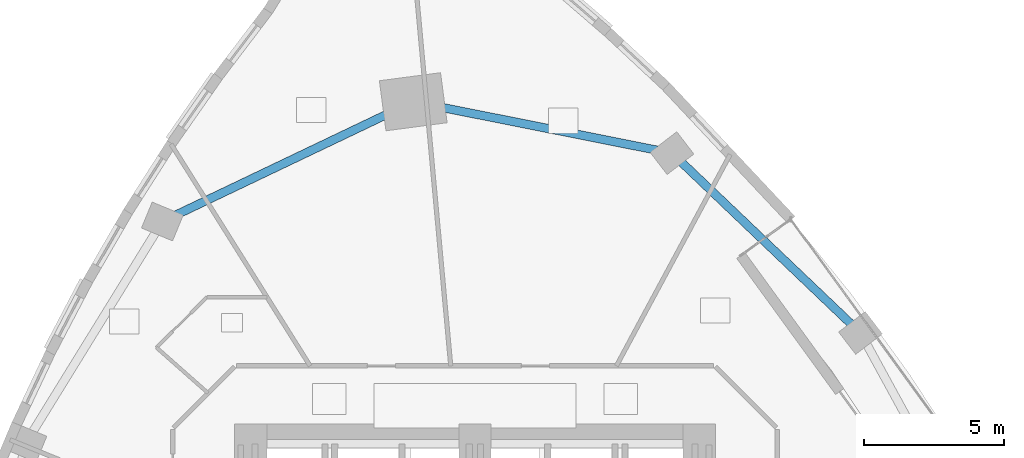
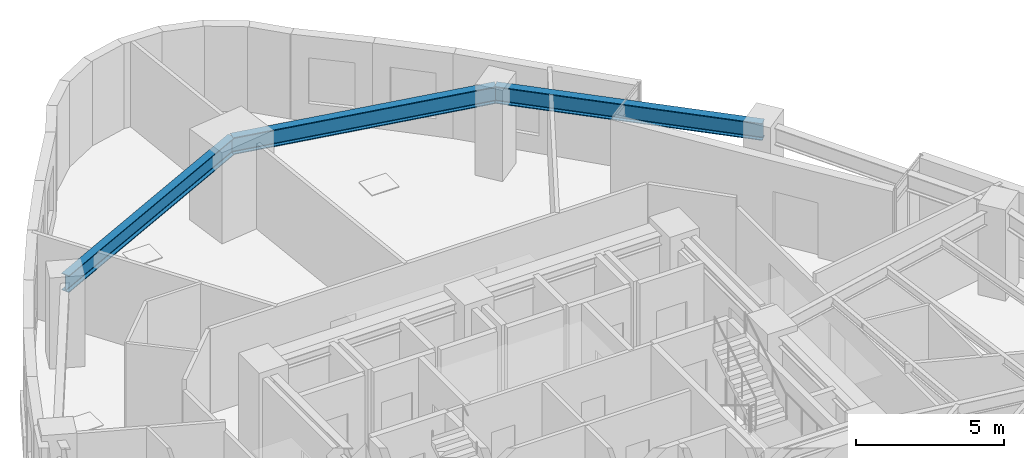
# One storey, part 5 of 15: 3 beams.
"""IFC4 building model written with IfcOpenShell, lengths in metres."""

from ifc_helpers import new_model, si_unit, direction, frame, origin, origin_2d, place, context, subcontext, project, spatial, i_section, extrude, material, material_profile, profile_set, type_object, element, save


model = new_model("IFC4")

# Units and contexts
model_context = context("Model", 3, precision=1e-05, world=origin(), true_north=direction((0.0, 1.0)))
body_context = subcontext(model_context, "Body", "Model", "MODEL_VIEW")
ifc_project = project(units=[si_unit("LENGTHUNIT", "METRE"), si_unit("AREAUNIT", "SQUARE_METRE"), si_unit("VOLUMEUNIT", "CUBIC_METRE"), si_unit("PLANEANGLEUNIT", "RADIAN"), si_unit("MASSUNIT", "GRAM", prefix="KILO")], contexts=[model_context])

# Site, building, storey
site_placement = place(None, origin())
site = spatial("IfcSite", under=ifc_project, at=site_placement, CompositionType="ELEMENT")
building_placement = place(site_placement, origin())
building = spatial("IfcBuilding", under=site, at=building_placement, Name="Ndelora Gate Hotel", CompositionType="ELEMENT")
storey_placement = place(building_placement, frame((0.0, 0.0, 53.0)))
storey = spatial("IfcBuildingStorey", under=building, at=storey_placement, Name="L12", CompositionType="ELEMENT", Elevation=53.0)

# Beams
ifc_material = material(Name="Steel S355", Category="steel")
ifc_material_profile = material_profile(ifc_material, i_section(OverallWidth=0.300048828125, OverallDepth=0.699951171875, WebThickness=0.01708984375, FlangeThickness=0.031982421875, FilletRadius=0.027099609375, at=origin_2d()), Name="HEB 700")
ifc_profile_set = profile_set([ifc_material_profile], Name="Steel S355")
beam_type = type_object("IfcBeamType", Name="BM-RING-700", PredefinedType="SPANDREL", material=ifc_profile_set)
beam_1_placement = place(storey_placement, frame((-2.199951171875, 18.800048828125, 3.14990234375), z_axis=(-0.902476034566, -0.43074006899, 0.0), x_axis=(0.43074006899, -0.902476034566, 0.0)))
element("IfcBeam", 1, at=beam_1_placement, inside=storey, type_object=beam_type, Name="L12 Perimeter Spandrel Girder 1", PredefinedType="SPANDREL", context=body_context, shape_type="SweptSolid", body=[
    extrude(i_section(OverallWidth=0.300048828125, OverallDepth=0.699951171875, WebThickness=0.01708984375, FlangeThickness=0.031982421875, FilletRadius=0.027099609375, at=origin_2d()), origin(), (0.0, 0.0, 1.0), 9.91552734375),
])
beam_2_placement = place(storey_placement, frame((13.75390625, 10.5537109375, 3.14990234375), z_axis=(-0.723784227769, 0.690026370244, 0.0), x_axis=(-0.690026370244, -0.723784227769, 0.0)))
element("IfcBeam", 2, at=beam_2_placement, inside=storey, type_object=beam_type, Name="L12 Perimeter Spandrel Girder 11", PredefinedType="SPANDREL", context=body_context, shape_type="SweptSolid", body=[
    extrude(i_section(OverallWidth=0.300048828125, OverallDepth=0.699951171875, WebThickness=0.01708984375, FlangeThickness=0.031982421875, FilletRadius=0.027099609375, at=origin_2d()), origin(), (0.0, 0.0, 1.0), 9.293212890625),
])
beam_3_placement = place(storey_placement, frame((7.027587890625, 16.96630859375, 3.14990234375), z_axis=(-0.980820478164, 0.194913287424, 0.0), x_axis=(-0.194913287424, -0.980820478164, 0.0)))
element("IfcBeam", 3, at=beam_3_placement, inside=storey, type_object=beam_type, Name="L12 Perimeter Spandrel Girder 12", PredefinedType="SPANDREL", context=body_context, shape_type="SweptSolid", body=[
    extrude(i_section(OverallWidth=0.300048828125, OverallDepth=0.699951171875, WebThickness=0.01708984375, FlangeThickness=0.031982421875, FilletRadius=0.027099609375, at=origin_2d()), origin(), (0.0, 0.0, 1.0), 9.407958984375),
])

save(model, "model.ifc")
